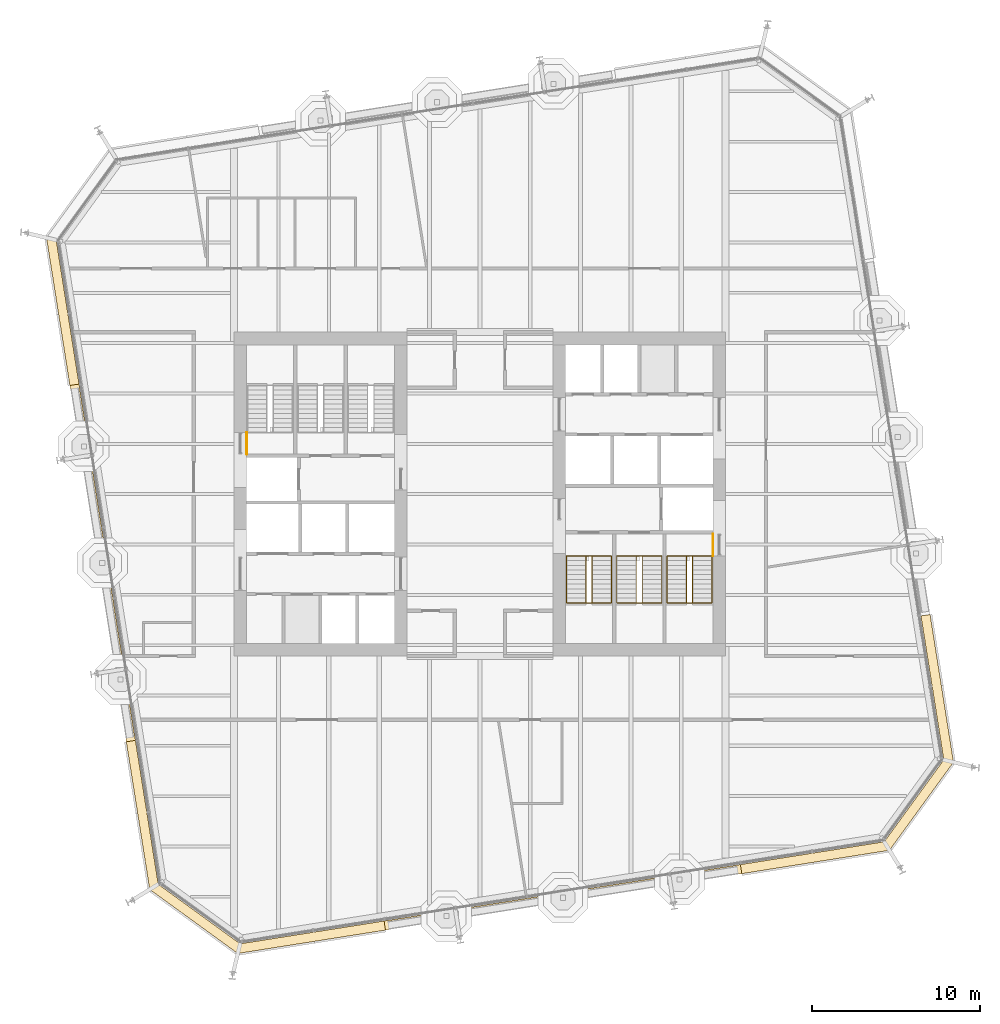
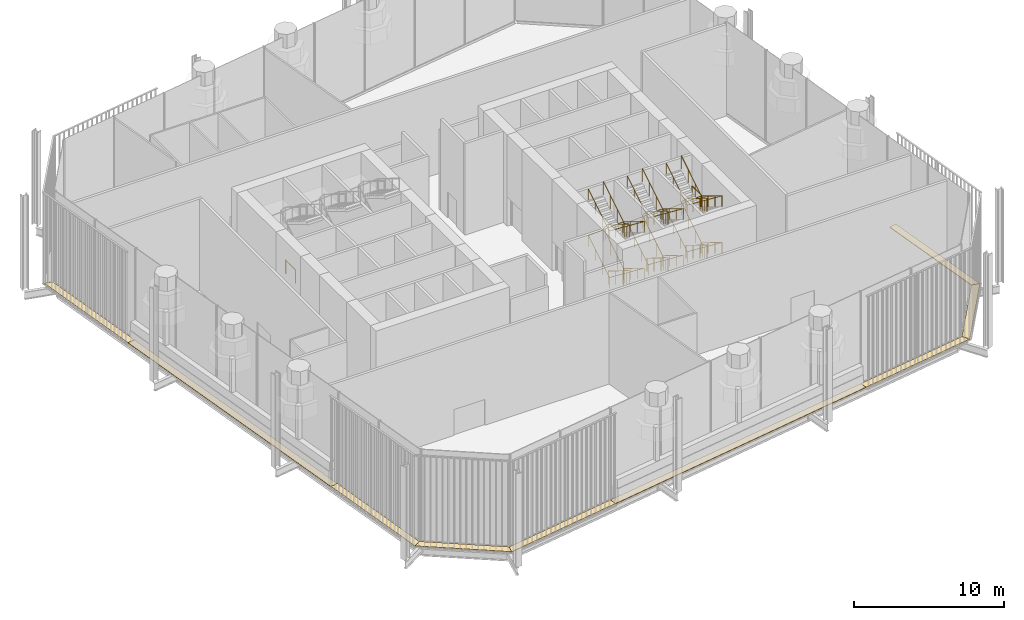
# One storey, part 16 of 19: 9 coverings, 8 railings.
"""IFC4 building model written with IfcOpenShell, lengths in metres."""

from ifc_helpers import new_model, si_unit, direction, frame, origin, origin_2d, place, context, subcontext, project, spatial, polyline, circle, outline, extrude, material, layer, layer_set, type_object, element, save


model = new_model("IFC4")

# Units and contexts
model_context = context("Model", 3, precision=1e-05, world=origin(), true_north=direction((0.0, 1.0)))
body_context = subcontext(model_context, "Body", "Model", "MODEL_VIEW")
ifc_project = project(units=[si_unit("LENGTHUNIT", "METRE"), si_unit("AREAUNIT", "SQUARE_METRE"), si_unit("VOLUMEUNIT", "CUBIC_METRE"), si_unit("PLANEANGLEUNIT", "RADIAN"), si_unit("MASSUNIT", "GRAM", prefix="KILO")], contexts=[model_context])

# Site, building, storey
site_placement = place(None, origin())
site = spatial("IfcSite", under=ifc_project, at=site_placement, CompositionType="ELEMENT")
building_placement = place(site_placement, origin())
building = spatial("IfcBuilding", under=site, at=building_placement, Name="Millrace Tower", CompositionType="ELEMENT")
storey_placement = place(building_placement, frame((0.0, 0.0, 172.39990234375)))
storey = spatial("IfcBuildingStorey", under=building, at=storey_placement, Name="L39", CompositionType="ELEMENT", Elevation=172.39990234375)

# Coverings
ifc_material_1 = material(Name="Steel ASTM A36", Category="steel")
ifc_layer = layer(ifc_material_1, 0.050048828125)
ifc_layer_set = layer_set([ifc_layer], Name="Steel ASTM A36")
covering_type = type_object("IfcCoveringType", Name="CAVITY CATWALK steel grating", PredefinedType="FLOORING", material=ifc_layer_set)
placement = place(storey_placement, frame((0.0, 0.0, 0.10009765625)))
element("IfcCovering", 1, at=placement, inside=storey, type_object=covering_type, Name="Cavity catwalk grating C-F01 L39 1", PredefinedType="FLOORING", context=body_context, shape_type="SweptSolid", body=[
    extrude(outline(polyline([(-19.67578125, -23.562255859375), (-14.425048828125, -27.376953125), (-14.2861328125, -26.798095703125), (-19.168212890625, -23.2509765625), (-19.67578125, -23.562255859375)])), origin(), (0.0, 0.0, 1.0), 0.050048828125),
])
element("IfcCovering", 2, at=placement, inside=storey, type_object=covering_type, Name="Cavity catwalk grating C-F02 L39 1", PredefinedType="FLOORING", context=body_context, shape_type="SweptSolid", body=[
    extrude(outline(polyline([(-14.425048828125, -27.376953125), (-5.6240234375, -25.983154296875), (-5.710205078125, -25.43994140625), (-14.2861328125, -26.798095703125), (-14.425048828125, -27.376953125)])), origin(), (0.0, 0.0, 1.0), 0.050048828125),
])
element("IfcCovering", 3, at=placement, inside=storey, type_object=covering_type, Name="Cavity catwalk grating C-F02 L39 2", PredefinedType="FLOORING", context=body_context, shape_type="SweptSolid", body=[
    extrude(outline(polyline([(-5.6240234375, -25.983154296875), (15.611083984375, -22.619873046875), (15.525146484375, -22.07666015625), (-5.710205078125, -25.43994140625), (-5.6240234375, -25.983154296875)])), origin(), (0.0, 0.0, 1.0), 0.050048828125),
])
element("IfcCovering", 4, at=placement, inside=storey, type_object=covering_type, Name="Cavity catwalk grating C-F02 L39 3", PredefinedType="FLOORING", context=body_context, shape_type="SweptSolid", body=[
    extrude(outline(polyline([(15.611083984375, -22.619873046875), (24.412109375, -21.225830078125), (24.10107421875, -20.71826171875), (15.525146484375, -22.07666015625), (15.611083984375, -22.619873046875)])), origin(), (0.0, 0.0, 1.0), 0.050048828125),
])
element("IfcCovering", 5, at=placement, inside=storey, type_object=covering_type, Name="Cavity catwalk grating C-F03 L39 1", PredefinedType="FLOORING", context=body_context, shape_type="SweptSolid", body=[
    extrude(outline(polyline([(24.412109375, -21.225830078125), (28.22705078125, -15.97509765625), (27.648193359375, -15.836181640625), (24.10107421875, -20.71826171875), (24.412109375, -21.225830078125)])), origin(), (0.0, 0.0, 1.0), 0.050048828125),
])
element("IfcCovering", 6, at=placement, inside=storey, type_object=covering_type, Name="Cavity catwalk grating C-F04 L39 1", PredefinedType="FLOORING", context=body_context, shape_type="SweptSolid", body=[
    extrude(outline(polyline([(28.22705078125, -15.97509765625), (26.8330078125, -7.174072265625), (26.289794921875, -7.26025390625), (27.648193359375, -15.836181640625), (28.22705078125, -15.97509765625)])), origin(), (0.0, 0.0, 1.0), 0.050048828125),
])
element("IfcCovering", 7, at=placement, inside=storey, type_object=covering_type, Name="Cavity catwalk grating C-F08 L39 1", PredefinedType="FLOORING", context=body_context, shape_type="SweptSolid", body=[
    extrude(outline(polyline([(-25.8271484375, 15.275146484375), (-24.43310546875, 6.47412109375), (-23.889892578125, 6.56005859375), (-25.248291015625, 15.135986328125), (-25.8271484375, 15.275146484375)])), origin(), (0.0, 0.0, 1.0), 0.050048828125),
])
element("IfcCovering", 8, at=placement, inside=storey, type_object=covering_type, Name="Cavity catwalk grating C-F08 L39 2", PredefinedType="FLOORING", context=body_context, shape_type="SweptSolid", body=[
    extrude(outline(polyline([(-24.43310546875, 6.47412109375), (-21.06982421875, -14.76123046875), (-20.526611328125, -14.675048828125), (-23.889892578125, 6.56005859375), (-24.43310546875, 6.47412109375)])), origin(), (0.0, 0.0, 1.0), 0.050048828125),
])
element("IfcCovering", 9, at=placement, inside=storey, type_object=covering_type, Name="Cavity catwalk grating C-F08 L39 3", PredefinedType="FLOORING", context=body_context, shape_type="SweptSolid", body=[
    extrude(outline(polyline([(-21.06982421875, -14.76123046875), (-19.67578125, -23.562255859375), (-19.168212890625, -23.2509765625), (-20.526611328125, -14.675048828125), (-21.06982421875, -14.76123046875)])), origin(), (0.0, 0.0, 1.0), 0.050048828125),
])

# Railings
ifc_material_2 = material(Name="Stainless steel ASTM A240 type 316", Category="steel")
railing_type_1 = type_object("IfcRailingType", Name="Stair guard 1100", PredefinedType="GUARDRAIL", material=ifc_material_2)
railing_1_placement = place(storey_placement, frame((-13.89990234375, 2.3798828125, 3.800048828125)))
element("IfcRailing", 10, at=railing_1_placement, inside=storey, type_object=railing_type_1, Name="Stair door landing guard W L39", PredefinedType="GUARDRAIL", context=body_context, shape_type="SweptSolid", body=[
    extrude(circle(Radius=0.02392578125, at=origin_2d()), frame((0.0, 0.0, 1.076171875), z_axis=(0.0, 1.0, 0.0), x_axis=(-1.0, 0.0, 0.0)), (0.0, 0.0, 1.0), 1.300048828125),
    extrude(circle(Radius=0.02099609375, at=origin_2d()), origin(), (0.0, 0.0, 1.0), 1.052001953125),
    extrude(circle(Radius=0.02099609375, at=origin_2d()), frame((0.0, 1.300048828125, 0.0)), (0.0, 0.0, 1.0), 1.052001953125),
])
railing_2_placement = place(storey_placement, frame((12.679931640625, -3.679931640625, 0.1728515625)))
element("IfcRailing", 11, at=railing_2_placement, inside=storey, type_object=railing_type_1, Name="Stair guard 1 E L39", PredefinedType="GUARDRAIL", context=body_context, shape_type="SweptSolid", body=[
    extrude(circle(Radius=0.02392578125, at=origin_2d()), frame((0.0, 0.0, 1.076171875), z_axis=(0.0, -0.851089632645, 0.525020415988), x_axis=(1.0, 0.0, 0.0)), (0.0, 0.0, 1.0), 3.2900390625),
    extrude(circle(Radius=0.02392578125, at=origin_2d()), frame((0.0, -2.800048828125, 2.80322265625), z_axis=(-0.901647110569, 0.0, 0.432472528611), x_axis=(0.0, -1.0, 0.0)), (0.0, 0.0, 1.0), 0.399169921875),
    extrude(circle(Radius=0.02392578125, at=origin_2d()), frame((-0.35986328125, -2.800048828125, 2.97607421875), z_axis=(0.0, 0.851089632645, 0.525020415988), x_axis=(-1.0, 0.0, 0.0)), (0.0, 0.0, 1.0), 3.2900390625),
    extrude(circle(Radius=0.02392578125, at=origin_2d()), frame((-0.35986328125, 0.0, 4.703125), z_axis=(0.901408511443, 0.0, 0.432969624221), x_axis=(0.0, 1.0, 0.0)), (0.0, 0.0, 1.0), 0.399169921875),
    extrude(circle(Radius=0.02392578125, at=origin_2d()), frame((0.0, 0.0, 4.8759765625), z_axis=(0.0, -0.851089632645, 0.525020415988), x_axis=(1.0, 0.0, 0.0)), (0.0, 0.0, 1.0), 3.2900390625),
    extrude(circle(Radius=0.02392578125, at=origin_2d()), frame((0.0, -2.800048828125, 6.603515625), z_axis=(-0.901647110569, 0.0, 0.432472528611), x_axis=(0.0, -1.0, 0.0)), (0.0, 0.0, 1.0), 0.399169921875),
    extrude(circle(Radius=0.02392578125, at=origin_2d()), frame((-0.35986328125, -2.800048828125, 6.77587890625), z_axis=(0.0, 0.851089632645, 0.525020415988), x_axis=(-1.0, 0.0, 0.0)), (0.0, 0.0, 1.0), 3.2900390625),
    extrude(circle(Radius=0.02099609375, at=origin_2d()), origin(), (0.0, 0.0, 1.0), 1.052001953125),
    extrude(circle(Radius=0.02099609375, at=origin_2d()), frame((0.0, -0.933349609375, 0.57568359375)), (0.0, 0.0, 1.0), 1.052001953125),
    extrude(circle(Radius=0.02099609375, at=origin_2d()), frame((0.0, -1.86669921875, 1.151611328125)), (0.0, 0.0, 1.0), 1.052001953125),
    extrude(circle(Radius=0.02099609375, at=origin_2d()), frame((0.0, -2.800048828125, 1.727294921875)), (0.0, 0.0, 1.0), 1.052001953125),
    extrude(circle(Radius=0.02099609375, at=origin_2d()), frame((-0.35986328125, -2.800048828125, 1.89990234375)), (0.0, 0.0, 1.0), 1.052001953125),
    extrude(circle(Radius=0.02099609375, at=origin_2d()), frame((-0.35986328125, -1.86669921875, 2.4755859375)), (0.0, 0.0, 1.0), 1.052001953125),
    extrude(circle(Radius=0.02099609375, at=origin_2d()), frame((-0.35986328125, -0.933349609375, 3.051513671875)), (0.0, 0.0, 1.0), 1.052001953125),
    extrude(circle(Radius=0.02099609375, at=origin_2d()), frame((-0.35986328125, 0.0, 3.627197265625)), (0.0, 0.0, 1.0), 1.052001953125),
    extrude(circle(Radius=0.02099609375, at=origin_2d()), frame((0.0, 0.0, 3.800048828125)), (0.0, 0.0, 1.0), 1.052001953125),
    extrude(circle(Radius=0.02099609375, at=origin_2d()), frame((0.0, -0.933349609375, 4.375732421875)), (0.0, 0.0, 1.0), 1.052001953125),
    extrude(circle(Radius=0.02099609375, at=origin_2d()), frame((0.0, -1.86669921875, 4.95166015625)), (0.0, 0.0, 1.0), 1.052001953125),
    extrude(circle(Radius=0.02099609375, at=origin_2d()), frame((0.0, -2.800048828125, 5.52734375)), (0.0, 0.0, 1.0), 1.052001953125),
    extrude(circle(Radius=0.02099609375, at=origin_2d()), frame((-0.35986328125, -2.800048828125, 5.699951171875)), (0.0, 0.0, 1.0), 1.052001953125),
    extrude(circle(Radius=0.02099609375, at=origin_2d()), frame((-0.35986328125, -1.86669921875, 6.275634765625)), (0.0, 0.0, 1.0), 1.052001953125),
    extrude(circle(Radius=0.02099609375, at=origin_2d()), frame((-0.35986328125, -0.933349609375, 6.8515625)), (0.0, 0.0, 1.0), 1.052001953125),
    extrude(circle(Radius=0.02099609375, at=origin_2d()), frame((-0.35986328125, 0.0, 7.42724609375)), (0.0, 0.0, 1.0), 1.052001953125),
])
railing_3_placement = place(storey_placement, frame((13.89990234375, -3.679931640625, 3.800048828125)))
element("IfcRailing", 12, at=railing_3_placement, inside=storey, type_object=railing_type_1, Name="Stair door landing guard E L39", PredefinedType="GUARDRAIL", context=body_context, shape_type="SweptSolid", body=[
    extrude(circle(Radius=0.02392578125, at=origin_2d()), frame((0.0, 0.0, 1.076171875), z_axis=(0.0, 1.0, 0.0), x_axis=(-1.0, 0.0, 0.0)), (0.0, 0.0, 1.0), 1.300048828125),
    extrude(circle(Radius=0.02099609375, at=origin_2d()), origin(), (0.0, 0.0, 1.0), 1.052001953125),
    extrude(circle(Radius=0.02099609375, at=origin_2d()), frame((0.0, 1.300048828125, 0.0)), (0.0, 0.0, 1.0), 1.052001953125),
])
railing_4_placement = place(storey_placement, frame((9.679931640625, -3.679931640625, 0.1728515625)))
element("IfcRailing", 13, at=railing_4_placement, inside=storey, type_object=railing_type_1, Name="Stair guard 2 E L39", PredefinedType="GUARDRAIL", context=body_context, shape_type="SweptSolid", body=[
    extrude(circle(Radius=0.02392578125, at=origin_2d()), frame((0.0, 0.0, 1.076171875), z_axis=(0.0, -0.851089632645, 0.525020415988), x_axis=(1.0, 0.0, 0.0)), (0.0, 0.0, 1.0), 3.2900390625),
    extrude(circle(Radius=0.02392578125, at=origin_2d()), frame((0.0, -2.800048828125, 2.80322265625), z_axis=(-0.901647110569, 0.0, 0.432472528611), x_axis=(0.0, -1.0, 0.0)), (0.0, 0.0, 1.0), 0.399169921875),
    extrude(circle(Radius=0.02392578125, at=origin_2d()), frame((-0.35986328125, -2.800048828125, 2.97607421875), z_axis=(0.0, 0.851089632645, 0.525020415988), x_axis=(-1.0, 0.0, 0.0)), (0.0, 0.0, 1.0), 3.2900390625),
    extrude(circle(Radius=0.02392578125, at=origin_2d()), frame((-0.35986328125, 0.0, 4.703125), z_axis=(0.901408511443, 0.0, 0.432969624221), x_axis=(0.0, 1.0, 0.0)), (0.0, 0.0, 1.0), 0.399169921875),
    extrude(circle(Radius=0.02392578125, at=origin_2d()), frame((0.0, 0.0, 4.8759765625), z_axis=(0.0, -0.851089632645, 0.525020415988), x_axis=(1.0, 0.0, 0.0)), (0.0, 0.0, 1.0), 3.2900390625),
    extrude(circle(Radius=0.02392578125, at=origin_2d()), frame((0.0, -2.800048828125, 6.603515625), z_axis=(-0.901647110569, 0.0, 0.432472528611), x_axis=(0.0, -1.0, 0.0)), (0.0, 0.0, 1.0), 0.399169921875),
    extrude(circle(Radius=0.02392578125, at=origin_2d()), frame((-0.35986328125, -2.800048828125, 6.77587890625), z_axis=(0.0, 0.851089632645, 0.525020415988), x_axis=(-1.0, 0.0, 0.0)), (0.0, 0.0, 1.0), 3.2900390625),
    extrude(circle(Radius=0.02099609375, at=origin_2d()), origin(), (0.0, 0.0, 1.0), 1.052001953125),
    extrude(circle(Radius=0.02099609375, at=origin_2d()), frame((0.0, -0.933349609375, 0.57568359375)), (0.0, 0.0, 1.0), 1.052001953125),
    extrude(circle(Radius=0.02099609375, at=origin_2d()), frame((0.0, -1.86669921875, 1.151611328125)), (0.0, 0.0, 1.0), 1.052001953125),
    extrude(circle(Radius=0.02099609375, at=origin_2d()), frame((0.0, -2.800048828125, 1.727294921875)), (0.0, 0.0, 1.0), 1.052001953125),
    extrude(circle(Radius=0.02099609375, at=origin_2d()), frame((-0.35986328125, -2.800048828125, 1.89990234375)), (0.0, 0.0, 1.0), 1.052001953125),
    extrude(circle(Radius=0.02099609375, at=origin_2d()), frame((-0.35986328125, -1.86669921875, 2.4755859375)), (0.0, 0.0, 1.0), 1.052001953125),
    extrude(circle(Radius=0.02099609375, at=origin_2d()), frame((-0.35986328125, -0.933349609375, 3.051513671875)), (0.0, 0.0, 1.0), 1.052001953125),
    extrude(circle(Radius=0.02099609375, at=origin_2d()), frame((-0.35986328125, 0.0, 3.627197265625)), (0.0, 0.0, 1.0), 1.052001953125),
    extrude(circle(Radius=0.02099609375, at=origin_2d()), frame((0.0, 0.0, 3.800048828125)), (0.0, 0.0, 1.0), 1.052001953125),
    extrude(circle(Radius=0.02099609375, at=origin_2d()), frame((0.0, -0.933349609375, 4.375732421875)), (0.0, 0.0, 1.0), 1.052001953125),
    extrude(circle(Radius=0.02099609375, at=origin_2d()), frame((0.0, -1.86669921875, 4.95166015625)), (0.0, 0.0, 1.0), 1.052001953125),
    extrude(circle(Radius=0.02099609375, at=origin_2d()), frame((0.0, -2.800048828125, 5.52734375)), (0.0, 0.0, 1.0), 1.052001953125),
    extrude(circle(Radius=0.02099609375, at=origin_2d()), frame((-0.35986328125, -2.800048828125, 5.699951171875)), (0.0, 0.0, 1.0), 1.052001953125),
    extrude(circle(Radius=0.02099609375, at=origin_2d()), frame((-0.35986328125, -1.86669921875, 6.275634765625)), (0.0, 0.0, 1.0), 1.052001953125),
    extrude(circle(Radius=0.02099609375, at=origin_2d()), frame((-0.35986328125, -0.933349609375, 6.8515625)), (0.0, 0.0, 1.0), 1.052001953125),
    extrude(circle(Radius=0.02099609375, at=origin_2d()), frame((-0.35986328125, 0.0, 7.42724609375)), (0.0, 0.0, 1.0), 1.052001953125),
])
railing_5_placement = place(storey_placement, frame((6.679931640625, -3.679931640625, 0.1728515625)))
element("IfcRailing", 14, at=railing_5_placement, inside=storey, type_object=railing_type_1, Name="Stair guard 3 E L39", PredefinedType="GUARDRAIL", context=body_context, shape_type="SweptSolid", body=[
    extrude(circle(Radius=0.02392578125, at=origin_2d()), frame((0.0, 0.0, 1.076171875), z_axis=(0.0, -0.851089632645, 0.525020415988), x_axis=(1.0, 0.0, 0.0)), (0.0, 0.0, 1.0), 3.2900390625),
    extrude(circle(Radius=0.02392578125, at=origin_2d()), frame((0.0, -2.800048828125, 2.80322265625), z_axis=(-0.901647110569, 0.0, 0.432472528611), x_axis=(0.0, -1.0, 0.0)), (0.0, 0.0, 1.0), 0.399169921875),
    extrude(circle(Radius=0.02392578125, at=origin_2d()), frame((-0.35986328125, -2.800048828125, 2.97607421875), z_axis=(0.0, 0.851089632645, 0.525020415988), x_axis=(-1.0, 0.0, 0.0)), (0.0, 0.0, 1.0), 3.2900390625),
    extrude(circle(Radius=0.02392578125, at=origin_2d()), frame((-0.35986328125, 0.0, 4.703125), z_axis=(0.901408511443, 0.0, 0.432969624221), x_axis=(0.0, 1.0, 0.0)), (0.0, 0.0, 1.0), 0.399169921875),
    extrude(circle(Radius=0.02392578125, at=origin_2d()), frame((0.0, 0.0, 4.8759765625), z_axis=(0.0, -0.851089632645, 0.525020415988), x_axis=(1.0, 0.0, 0.0)), (0.0, 0.0, 1.0), 3.2900390625),
    extrude(circle(Radius=0.02392578125, at=origin_2d()), frame((0.0, -2.800048828125, 6.603515625), z_axis=(-0.901647110569, 0.0, 0.432472528611), x_axis=(0.0, -1.0, 0.0)), (0.0, 0.0, 1.0), 0.399169921875),
    extrude(circle(Radius=0.02392578125, at=origin_2d()), frame((-0.35986328125, -2.800048828125, 6.77587890625), z_axis=(0.0, 0.851089632645, 0.525020415988), x_axis=(-1.0, 0.0, 0.0)), (0.0, 0.0, 1.0), 3.2900390625),
    extrude(circle(Radius=0.02099609375, at=origin_2d()), origin(), (0.0, 0.0, 1.0), 1.052001953125),
    extrude(circle(Radius=0.02099609375, at=origin_2d()), frame((0.0, -0.933349609375, 0.57568359375)), (0.0, 0.0, 1.0), 1.052001953125),
    extrude(circle(Radius=0.02099609375, at=origin_2d()), frame((0.0, -1.86669921875, 1.151611328125)), (0.0, 0.0, 1.0), 1.052001953125),
    extrude(circle(Radius=0.02099609375, at=origin_2d()), frame((0.0, -2.800048828125, 1.727294921875)), (0.0, 0.0, 1.0), 1.052001953125),
    extrude(circle(Radius=0.02099609375, at=origin_2d()), frame((-0.35986328125, -2.800048828125, 1.89990234375)), (0.0, 0.0, 1.0), 1.052001953125),
    extrude(circle(Radius=0.02099609375, at=origin_2d()), frame((-0.35986328125, -1.86669921875, 2.4755859375)), (0.0, 0.0, 1.0), 1.052001953125),
    extrude(circle(Radius=0.02099609375, at=origin_2d()), frame((-0.35986328125, -0.933349609375, 3.051513671875)), (0.0, 0.0, 1.0), 1.052001953125),
    extrude(circle(Radius=0.02099609375, at=origin_2d()), frame((-0.35986328125, 0.0, 3.627197265625)), (0.0, 0.0, 1.0), 1.052001953125),
    extrude(circle(Radius=0.02099609375, at=origin_2d()), frame((0.0, 0.0, 3.800048828125)), (0.0, 0.0, 1.0), 1.052001953125),
    extrude(circle(Radius=0.02099609375, at=origin_2d()), frame((0.0, -0.933349609375, 4.375732421875)), (0.0, 0.0, 1.0), 1.052001953125),
    extrude(circle(Radius=0.02099609375, at=origin_2d()), frame((0.0, -1.86669921875, 4.95166015625)), (0.0, 0.0, 1.0), 1.052001953125),
    extrude(circle(Radius=0.02099609375, at=origin_2d()), frame((0.0, -2.800048828125, 5.52734375)), (0.0, 0.0, 1.0), 1.052001953125),
    extrude(circle(Radius=0.02099609375, at=origin_2d()), frame((-0.35986328125, -2.800048828125, 5.699951171875)), (0.0, 0.0, 1.0), 1.052001953125),
    extrude(circle(Radius=0.02099609375, at=origin_2d()), frame((-0.35986328125, -1.86669921875, 6.275634765625)), (0.0, 0.0, 1.0), 1.052001953125),
    extrude(circle(Radius=0.02099609375, at=origin_2d()), frame((-0.35986328125, -0.933349609375, 6.8515625)), (0.0, 0.0, 1.0), 1.052001953125),
    extrude(circle(Radius=0.02099609375, at=origin_2d()), frame((-0.35986328125, 0.0, 7.42724609375)), (0.0, 0.0, 1.0), 1.052001953125),
])
ifc_material_3 = material(Name="Stainless steel ASTM A240 type 316", Category="steel")
railing_type_2 = type_object("IfcRailingType", Name="Stair handrail 900", PredefinedType="HANDRAIL", material=ifc_material_3)
railing_6_placement = place(storey_placement, frame((13.840087890625, -3.679931640625, 0.1728515625)))
element("IfcRailing", 15, at=railing_6_placement, inside=storey, type_object=railing_type_2, Name="Stair handrail 1 E L39", PredefinedType="HANDRAIL", context=body_context, shape_type="SweptSolid", body=[
    extrude(circle(Radius=0.02392578125, at=origin_2d()), frame((0.0, 0.0, 0.8759765625), z_axis=(0.0, -0.851089632645, 0.525020415988), x_axis=(1.0, 0.0, 0.0)), (0.0, 0.0, 1.0), 3.2900390625),
    extrude(circle(Radius=0.02392578125, at=origin_2d()), frame((0.0, -2.800048828125, 2.60302734375), z_axis=(-0.997932650066, 0.0, 0.064268389834), x_axis=(0.0, -1.0, 0.0)), (0.0, 0.0, 1.0), 2.685791015625),
    extrude(circle(Radius=0.02392578125, at=origin_2d()), frame((-2.68017578125, -2.800048828125, 2.77587890625), z_axis=(0.0, 0.851089632645, 0.525020415988), x_axis=(-1.0, 0.0, 0.0)), (0.0, 0.0, 1.0), 3.2900390625),
    extrude(circle(Radius=0.02392578125, at=origin_2d()), frame((-2.68017578125, 0.0, 4.5029296875), z_axis=(0.997926815885, 0.0, 0.064358916528), x_axis=(0.0, 1.0, 0.0)), (0.0, 0.0, 1.0), 2.685791015625),
    extrude(circle(Radius=0.02392578125, at=origin_2d()), frame((0.0, 0.0, 4.67578125), z_axis=(0.0, -0.851089632645, 0.525020415988), x_axis=(1.0, 0.0, 0.0)), (0.0, 0.0, 1.0), 3.2900390625),
    extrude(circle(Radius=0.02392578125, at=origin_2d()), frame((0.0, -2.800048828125, 6.4033203125), z_axis=(-0.997932650066, 0.0, 0.064268389834), x_axis=(0.0, -1.0, 0.0)), (0.0, 0.0, 1.0), 2.685791015625),
    extrude(circle(Radius=0.02392578125, at=origin_2d()), frame((-2.68017578125, -2.800048828125, 6.57568359375), z_axis=(0.0, 0.851089632645, 0.525020415988), x_axis=(-1.0, 0.0, 0.0)), (0.0, 0.0, 1.0), 3.2900390625),
    extrude(circle(Radius=0.02099609375, at=origin_2d()), origin(), (0.0, 0.0, 1.0), 0.851806640625),
    extrude(circle(Radius=0.02099609375, at=origin_2d()), frame((0.0, -0.933349609375, 0.57568359375)), (0.0, 0.0, 1.0), 0.851806640625),
    extrude(circle(Radius=0.02099609375, at=origin_2d()), frame((0.0, -1.86669921875, 1.151611328125)), (0.0, 0.0, 1.0), 0.851806640625),
    extrude(circle(Radius=0.02099609375, at=origin_2d()), frame((0.0, -2.800048828125, 1.727294921875)), (0.0, 0.0, 1.0), 0.851806640625),
    extrude(circle(Radius=0.02099609375, at=origin_2d()), frame((-1.340087890625, -2.800048828125, 1.8134765625)), (0.0, 0.0, 1.0), 0.851806640625),
    extrude(circle(Radius=0.02099609375, at=origin_2d()), frame((-2.68017578125, -2.800048828125, 1.89990234375)), (0.0, 0.0, 1.0), 0.851806640625),
    extrude(circle(Radius=0.02099609375, at=origin_2d()), frame((-2.68017578125, -1.86669921875, 2.4755859375)), (0.0, 0.0, 1.0), 0.851806640625),
    extrude(circle(Radius=0.02099609375, at=origin_2d()), frame((-2.68017578125, -0.933349609375, 3.051513671875)), (0.0, 0.0, 1.0), 0.851806640625),
    extrude(circle(Radius=0.02099609375, at=origin_2d()), frame((-2.68017578125, 0.0, 3.627197265625)), (0.0, 0.0, 1.0), 0.851806640625),
    extrude(circle(Radius=0.02099609375, at=origin_2d()), frame((-1.340087890625, 0.0, 3.713623046875)), (0.0, 0.0, 1.0), 0.851806640625),
    extrude(circle(Radius=0.02099609375, at=origin_2d()), frame((0.0, 0.0, 3.800048828125)), (0.0, 0.0, 1.0), 0.851806640625),
    extrude(circle(Radius=0.02099609375, at=origin_2d()), frame((0.0, -0.933349609375, 4.375732421875)), (0.0, 0.0, 1.0), 0.851806640625),
    extrude(circle(Radius=0.02099609375, at=origin_2d()), frame((0.0, -1.86669921875, 4.95166015625)), (0.0, 0.0, 1.0), 0.851806640625),
    extrude(circle(Radius=0.02099609375, at=origin_2d()), frame((0.0, -2.800048828125, 5.52734375)), (0.0, 0.0, 1.0), 0.851806640625),
    extrude(circle(Radius=0.02099609375, at=origin_2d()), frame((-1.340087890625, -2.800048828125, 5.61376953125)), (0.0, 0.0, 1.0), 0.851806640625),
    extrude(circle(Radius=0.02099609375, at=origin_2d()), frame((-2.68017578125, -2.800048828125, 5.699951171875)), (0.0, 0.0, 1.0), 0.851806640625),
    extrude(circle(Radius=0.02099609375, at=origin_2d()), frame((-2.68017578125, -1.86669921875, 6.275634765625)), (0.0, 0.0, 1.0), 0.851806640625),
    extrude(circle(Radius=0.02099609375, at=origin_2d()), frame((-2.68017578125, -0.933349609375, 6.8515625)), (0.0, 0.0, 1.0), 0.851806640625),
    extrude(circle(Radius=0.02099609375, at=origin_2d()), frame((-2.68017578125, 0.0, 7.42724609375)), (0.0, 0.0, 1.0), 0.851806640625),
])
railing_7_placement = place(storey_placement, frame((10.840087890625, -3.679931640625, 0.1728515625)))
element("IfcRailing", 16, at=railing_7_placement, inside=storey, type_object=railing_type_2, Name="Stair handrail 2 E L39", PredefinedType="HANDRAIL", context=body_context, shape_type="SweptSolid", body=[
    extrude(circle(Radius=0.02392578125, at=origin_2d()), frame((0.0, 0.0, 0.8759765625), z_axis=(0.0, -0.851089632645, 0.525020415988), x_axis=(1.0, 0.0, 0.0)), (0.0, 0.0, 1.0), 3.2900390625),
    extrude(circle(Radius=0.02392578125, at=origin_2d()), frame((0.0, -2.800048828125, 2.60302734375), z_axis=(-0.997932650066, 0.0, 0.064268389834), x_axis=(0.0, -1.0, 0.0)), (0.0, 0.0, 1.0), 2.685791015625),
    extrude(circle(Radius=0.02392578125, at=origin_2d()), frame((-2.68017578125, -2.800048828125, 2.77587890625), z_axis=(0.0, 0.851089632645, 0.525020415988), x_axis=(-1.0, 0.0, 0.0)), (0.0, 0.0, 1.0), 3.2900390625),
    extrude(circle(Radius=0.02392578125, at=origin_2d()), frame((-2.68017578125, 0.0, 4.5029296875), z_axis=(0.997926815885, 0.0, 0.064358916528), x_axis=(0.0, 1.0, 0.0)), (0.0, 0.0, 1.0), 2.685791015625),
    extrude(circle(Radius=0.02392578125, at=origin_2d()), frame((0.0, 0.0, 4.67578125), z_axis=(0.0, -0.851089632645, 0.525020415988), x_axis=(1.0, 0.0, 0.0)), (0.0, 0.0, 1.0), 3.2900390625),
    extrude(circle(Radius=0.02392578125, at=origin_2d()), frame((0.0, -2.800048828125, 6.4033203125), z_axis=(-0.997932650066, 0.0, 0.064268389834), x_axis=(0.0, -1.0, 0.0)), (0.0, 0.0, 1.0), 2.685791015625),
    extrude(circle(Radius=0.02392578125, at=origin_2d()), frame((-2.68017578125, -2.800048828125, 6.57568359375), z_axis=(0.0, 0.851089632645, 0.525020415988), x_axis=(-1.0, 0.0, 0.0)), (0.0, 0.0, 1.0), 3.2900390625),
    extrude(circle(Radius=0.02099609375, at=origin_2d()), origin(), (0.0, 0.0, 1.0), 0.851806640625),
    extrude(circle(Radius=0.02099609375, at=origin_2d()), frame((0.0, -0.933349609375, 0.57568359375)), (0.0, 0.0, 1.0), 0.851806640625),
    extrude(circle(Radius=0.02099609375, at=origin_2d()), frame((0.0, -1.86669921875, 1.151611328125)), (0.0, 0.0, 1.0), 0.851806640625),
    extrude(circle(Radius=0.02099609375, at=origin_2d()), frame((0.0, -2.800048828125, 1.727294921875)), (0.0, 0.0, 1.0), 0.851806640625),
    extrude(circle(Radius=0.02099609375, at=origin_2d()), frame((-1.340087890625, -2.800048828125, 1.8134765625)), (0.0, 0.0, 1.0), 0.851806640625),
    extrude(circle(Radius=0.02099609375, at=origin_2d()), frame((-2.68017578125, -2.800048828125, 1.89990234375)), (0.0, 0.0, 1.0), 0.851806640625),
    extrude(circle(Radius=0.02099609375, at=origin_2d()), frame((-2.68017578125, -1.86669921875, 2.4755859375)), (0.0, 0.0, 1.0), 0.851806640625),
    extrude(circle(Radius=0.02099609375, at=origin_2d()), frame((-2.68017578125, -0.933349609375, 3.051513671875)), (0.0, 0.0, 1.0), 0.851806640625),
    extrude(circle(Radius=0.02099609375, at=origin_2d()), frame((-2.68017578125, 0.0, 3.627197265625)), (0.0, 0.0, 1.0), 0.851806640625),
    extrude(circle(Radius=0.02099609375, at=origin_2d()), frame((-1.340087890625, 0.0, 3.713623046875)), (0.0, 0.0, 1.0), 0.851806640625),
    extrude(circle(Radius=0.02099609375, at=origin_2d()), frame((0.0, 0.0, 3.800048828125)), (0.0, 0.0, 1.0), 0.851806640625),
    extrude(circle(Radius=0.02099609375, at=origin_2d()), frame((0.0, -0.933349609375, 4.375732421875)), (0.0, 0.0, 1.0), 0.851806640625),
    extrude(circle(Radius=0.02099609375, at=origin_2d()), frame((0.0, -1.86669921875, 4.95166015625)), (0.0, 0.0, 1.0), 0.851806640625),
    extrude(circle(Radius=0.02099609375, at=origin_2d()), frame((0.0, -2.800048828125, 5.52734375)), (0.0, 0.0, 1.0), 0.851806640625),
    extrude(circle(Radius=0.02099609375, at=origin_2d()), frame((-1.340087890625, -2.800048828125, 5.61376953125)), (0.0, 0.0, 1.0), 0.851806640625),
    extrude(circle(Radius=0.02099609375, at=origin_2d()), frame((-2.68017578125, -2.800048828125, 5.699951171875)), (0.0, 0.0, 1.0), 0.851806640625),
    extrude(circle(Radius=0.02099609375, at=origin_2d()), frame((-2.68017578125, -1.86669921875, 6.275634765625)), (0.0, 0.0, 1.0), 0.851806640625),
    extrude(circle(Radius=0.02099609375, at=origin_2d()), frame((-2.68017578125, -0.933349609375, 6.8515625)), (0.0, 0.0, 1.0), 0.851806640625),
    extrude(circle(Radius=0.02099609375, at=origin_2d()), frame((-2.68017578125, 0.0, 7.42724609375)), (0.0, 0.0, 1.0), 0.851806640625),
])
railing_8_placement = place(storey_placement, frame((7.840087890625, -3.679931640625, 0.1728515625)))
element("IfcRailing", 17, at=railing_8_placement, inside=storey, type_object=railing_type_2, Name="Stair handrail 3 E L39", PredefinedType="HANDRAIL", context=body_context, shape_type="SweptSolid", body=[
    extrude(circle(Radius=0.02392578125, at=origin_2d()), frame((0.0, 0.0, 0.8759765625), z_axis=(0.0, -0.851089632645, 0.525020415988), x_axis=(1.0, 0.0, 0.0)), (0.0, 0.0, 1.0), 3.2900390625),
    extrude(circle(Radius=0.02392578125, at=origin_2d()), frame((0.0, -2.800048828125, 2.60302734375), z_axis=(-0.997932650066, 0.0, 0.064268389834), x_axis=(0.0, -1.0, 0.0)), (0.0, 0.0, 1.0), 2.685791015625),
    extrude(circle(Radius=0.02392578125, at=origin_2d()), frame((-2.68017578125, -2.800048828125, 2.77587890625), z_axis=(0.0, 0.851089632645, 0.525020415988), x_axis=(-1.0, 0.0, 0.0)), (0.0, 0.0, 1.0), 3.2900390625),
    extrude(circle(Radius=0.02392578125, at=origin_2d()), frame((-2.68017578125, 0.0, 4.5029296875), z_axis=(0.997926815885, 0.0, 0.064358916528), x_axis=(0.0, 1.0, 0.0)), (0.0, 0.0, 1.0), 2.685791015625),
    extrude(circle(Radius=0.02392578125, at=origin_2d()), frame((0.0, 0.0, 4.67578125), z_axis=(0.0, -0.851089632645, 0.525020415988), x_axis=(1.0, 0.0, 0.0)), (0.0, 0.0, 1.0), 3.2900390625),
    extrude(circle(Radius=0.02392578125, at=origin_2d()), frame((0.0, -2.800048828125, 6.4033203125), z_axis=(-0.997932650066, 0.0, 0.064268389834), x_axis=(0.0, -1.0, 0.0)), (0.0, 0.0, 1.0), 2.685791015625),
    extrude(circle(Radius=0.02392578125, at=origin_2d()), frame((-2.68017578125, -2.800048828125, 6.57568359375), z_axis=(0.0, 0.851089632645, 0.525020415988), x_axis=(-1.0, 0.0, 0.0)), (0.0, 0.0, 1.0), 3.2900390625),
    extrude(circle(Radius=0.02099609375, at=origin_2d()), origin(), (0.0, 0.0, 1.0), 0.851806640625),
    extrude(circle(Radius=0.02099609375, at=origin_2d()), frame((0.0, -0.933349609375, 0.57568359375)), (0.0, 0.0, 1.0), 0.851806640625),
    extrude(circle(Radius=0.02099609375, at=origin_2d()), frame((0.0, -1.86669921875, 1.151611328125)), (0.0, 0.0, 1.0), 0.851806640625),
    extrude(circle(Radius=0.02099609375, at=origin_2d()), frame((0.0, -2.800048828125, 1.727294921875)), (0.0, 0.0, 1.0), 0.851806640625),
    extrude(circle(Radius=0.02099609375, at=origin_2d()), frame((-1.340087890625, -2.800048828125, 1.8134765625)), (0.0, 0.0, 1.0), 0.851806640625),
    extrude(circle(Radius=0.02099609375, at=origin_2d()), frame((-2.68017578125, -2.800048828125, 1.89990234375)), (0.0, 0.0, 1.0), 0.851806640625),
    extrude(circle(Radius=0.02099609375, at=origin_2d()), frame((-2.68017578125, -1.86669921875, 2.4755859375)), (0.0, 0.0, 1.0), 0.851806640625),
    extrude(circle(Radius=0.02099609375, at=origin_2d()), frame((-2.68017578125, -0.933349609375, 3.051513671875)), (0.0, 0.0, 1.0), 0.851806640625),
    extrude(circle(Radius=0.02099609375, at=origin_2d()), frame((-2.68017578125, 0.0, 3.627197265625)), (0.0, 0.0, 1.0), 0.851806640625),
    extrude(circle(Radius=0.02099609375, at=origin_2d()), frame((-1.340087890625, 0.0, 3.713623046875)), (0.0, 0.0, 1.0), 0.851806640625),
    extrude(circle(Radius=0.02099609375, at=origin_2d()), frame((0.0, 0.0, 3.800048828125)), (0.0, 0.0, 1.0), 0.851806640625),
    extrude(circle(Radius=0.02099609375, at=origin_2d()), frame((0.0, -0.933349609375, 4.375732421875)), (0.0, 0.0, 1.0), 0.851806640625),
    extrude(circle(Radius=0.02099609375, at=origin_2d()), frame((0.0, -1.86669921875, 4.95166015625)), (0.0, 0.0, 1.0), 0.851806640625),
    extrude(circle(Radius=0.02099609375, at=origin_2d()), frame((0.0, -2.800048828125, 5.52734375)), (0.0, 0.0, 1.0), 0.851806640625),
    extrude(circle(Radius=0.02099609375, at=origin_2d()), frame((-1.340087890625, -2.800048828125, 5.61376953125)), (0.0, 0.0, 1.0), 0.851806640625),
    extrude(circle(Radius=0.02099609375, at=origin_2d()), frame((-2.68017578125, -2.800048828125, 5.699951171875)), (0.0, 0.0, 1.0), 0.851806640625),
    extrude(circle(Radius=0.02099609375, at=origin_2d()), frame((-2.68017578125, -1.86669921875, 6.275634765625)), (0.0, 0.0, 1.0), 0.851806640625),
    extrude(circle(Radius=0.02099609375, at=origin_2d()), frame((-2.68017578125, -0.933349609375, 6.8515625)), (0.0, 0.0, 1.0), 0.851806640625),
    extrude(circle(Radius=0.02099609375, at=origin_2d()), frame((-2.68017578125, 0.0, 7.42724609375)), (0.0, 0.0, 1.0), 0.851806640625),
])

save(model, "model.ifc")
